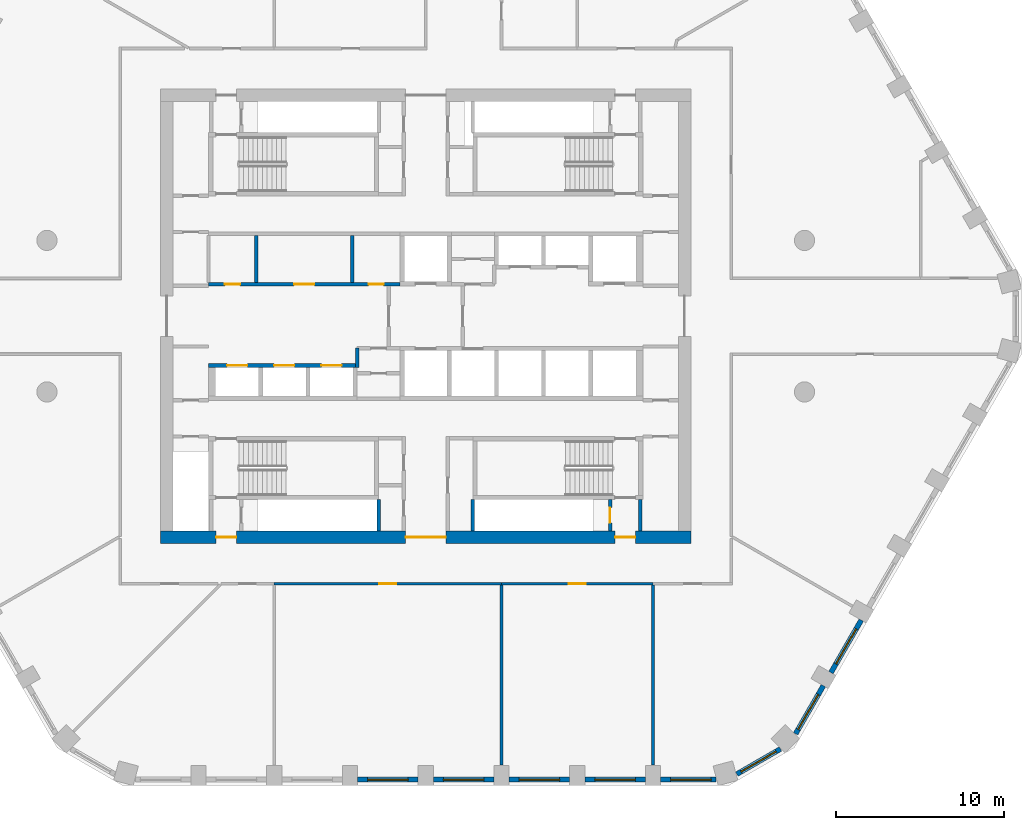
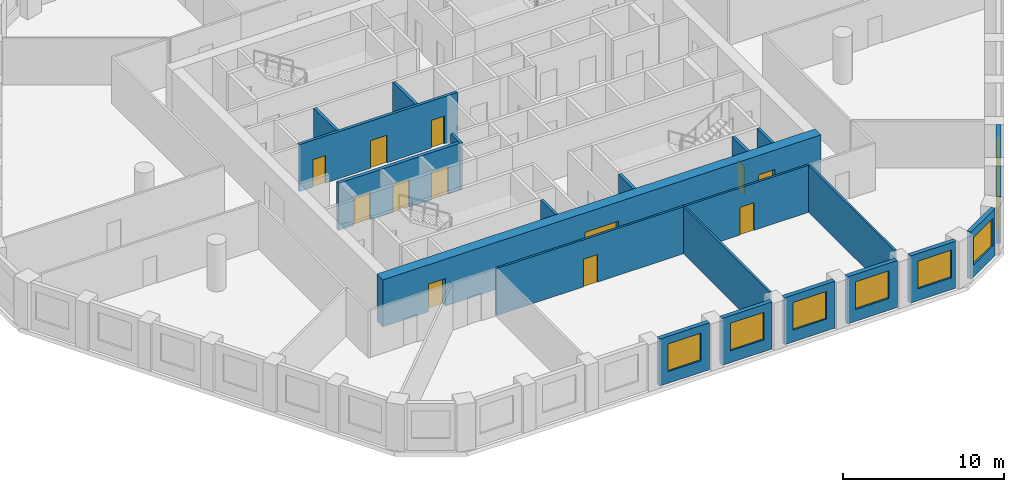
# One storey, part 3 of 9: 22 walls, 12 doors, 8 windows, 20 openings.
"""IFC4 building model written with IfcOpenShell, lengths in metres."""

import ifcopenshell
import ifcopenshell.guid

model = None  # the IFC model being written
_history = None  # IfcOwnerHistory: only IFC2X3 demands one
_inside = {}  # id of a spatial element -> (the spatial element, [elements in it])
_under = {}  # id of a project, library or spatial element -> (it, [spatial elements below it])
_declared = {}  # id of a project -> (the project, [libraries it declares])
_typed = {}  # id of a type object -> (the type object, [elements of that type])
_made_of = {}  # id of a material, layer set ... -> (it, [elements and type objects made of it])


def new_model(schema):
    """Start an empty IFC model of exactly this schema.

    Asked for "IFC4X3", IfcOpenShell would pick the latest addendum, in which some entities
    have other attributes; the version numbers below select the first issue.
    IFC2X3 requires an IfcOwnerHistory on every rooted entity: one is made here for all.
    """
    global model, _history
    if schema == "IFC4X3":
        model = ifcopenshell.file(schema_version=(4, 3, 0, 0))
    else:
        model = ifcopenshell.file(schema=schema)
    _inside.clear()
    _under.clear()
    _declared.clear()
    _typed.clear()
    _made_of.clear()
    _history = None
    if model.schema == "IFC2X3":
        org = make("IfcOrganization", Name="unknown")
        user = make(
            "IfcPersonAndOrganization",
            ThePerson=make("IfcPerson", FamilyName="unknown"),
            TheOrganization=org,
        )
        app = make(
            "IfcApplication",
            ApplicationDeveloper=org,
            Version="unknown",
            ApplicationFullName="unknown",
            ApplicationIdentifier="unknown",
        )
        _history = make(
            "IfcOwnerHistory",
            OwningUser=user,
            OwningApplication=app,
            ChangeAction="ADDED",
            CreationDate=0,
        )
    return model


def make(cls, **values):
    """One entity of the class cls with the attributes given. An attribute that is None is left unset."""
    return model.create_entity(
        cls, **{name: value for name, value in values.items() if value is not None}
    )


def rooted(cls, **values):
    """An entity with a GlobalId (a new one), such as an element, a storey or a relation."""
    return make(cls, GlobalId=ifcopenshell.guid.new(), OwnerHistory=_history, **values)


def si_unit(unit_type, name, prefix=None):
    """IfcSIUnit, for example si_unit("LENGTHUNIT", "METRE", prefix="MILLI")."""
    return make("IfcSIUnit", UnitType=unit_type, Prefix=prefix, Name=name)


def assignment(units):
    """IfcUnitAssignment: the units of a project."""
    return None if units is None else make("IfcUnitAssignment", Units=units)


def point(xyz):
    """IfcCartesianPoint."""
    return None if xyz is None else make("IfcCartesianPoint", Coordinates=xyz)


def direction(xyz):
    """IfcDirection."""
    return None if xyz is None else make("IfcDirection", DirectionRatios=xyz)


def frame(location, z_axis=None, x_axis=None):
    """IfcAxis2Placement3D, a coordinate frame: its origin and axes. An axis left out is left unset."""
    return make(
        "IfcAxis2Placement3D",
        Location=point(location),
        Axis=direction(z_axis),
        RefDirection=direction(x_axis),
    )


def frame_2d(location, x_axis=None):
    """IfcAxis2Placement2D, a coordinate frame in the plane: its origin and x axis."""
    return make(
        "IfcAxis2Placement2D", Location=point(location), RefDirection=direction(x_axis)
    )


def origin():
    """The frame at (0, 0, 0) with its axes left unset."""
    return frame((0.0, 0.0, 0.0))


def place(relative_to, where):
    """IfcLocalPlacement: puts the frame where relative to a parent placement (None: the world)."""
    return make(
        "IfcLocalPlacement", PlacementRelTo=relative_to, RelativePlacement=where
    )


def context(
    kind, dimensions, precision=None, world=None, true_north=None, identifier=None
):
    """IfcGeometricRepresentationContext, for example the 3D "Model" context."""
    return make(
        "IfcGeometricRepresentationContext",
        ContextIdentifier=identifier,
        ContextType=kind,
        CoordinateSpaceDimension=dimensions,
        Precision=precision,
        WorldCoordinateSystem=world,
        TrueNorth=true_north,
    )


def subcontext(parent, identifier, kind, view, scale=None):
    """IfcGeometricRepresentationSubContext, for example "Body" below "Model"."""
    return make(
        "IfcGeometricRepresentationSubContext",
        ContextIdentifier=identifier,
        ContextType=kind,
        ParentContext=parent,
        TargetScale=scale,
        TargetView=view,
    )


def project(units=None, contexts=None):
    """IfcProject with its units and contexts."""
    return rooted(
        "IfcProject",
        Name="project",
        RepresentationContexts=contexts,
        UnitsInContext=assignment(units),
    )


def spatial(cls, under=None, at=None, **own):
    """A site, building, storey or space (cls), placed at a placement, below another one or the project."""
    s = rooted(cls, ObjectPlacement=at, **own)
    if under is not None:
        _under.setdefault(under.id(), (under, []))[1].append(s)
    return s


def profile(cls, at=None, kind="AREA", **sizes):
    """A parametric profile (cls). Its sizes go by their IFC names, for example OverallWidth=200.0."""
    return make(cls, ProfileType=kind, Position=at, **sizes)


def rectangle(**sizes):
    """IfcRectangleProfileDef."""
    return profile("IfcRectangleProfileDef", **sizes)


def extrude(swept, where, along, depth):
    """IfcExtrudedAreaSolid: the profile swept, set in the frame where, extruded along a direction by depth."""
    return make(
        "IfcExtrudedAreaSolid",
        SweptArea=swept,
        Position=where,
        ExtrudedDirection=direction(along),
        Depth=depth,
    )


def shape(context_of_items, identifier, shape_type, items):
    """IfcShapeRepresentation: the items that make up one representation, for example the "Body"."""
    return make(
        "IfcShapeRepresentation",
        ContextOfItems=context_of_items,
        RepresentationIdentifier=identifier,
        RepresentationType=shape_type,
        Items=items,
    )


def material(Name=None, Category=None):
    """IfcMaterial."""
    return make("IfcMaterial", Name=Name, Category=Category)


def layer(
    of_material, thickness, ventilated=None, Name=None, Category=None, Priority=None
):
    """IfcMaterialLayer: one layer of a wall or slab, of a material (None: an air gap)."""
    return make(
        "IfcMaterialLayer",
        Material=of_material,
        LayerThickness=thickness,
        IsVentilated=ventilated,
        Name=Name,
        Category=Category,
        Priority=Priority,
    )


def layer_set(layers, Name=None):
    """IfcMaterialLayerSet."""
    return make("IfcMaterialLayerSet", MaterialLayers=layers, LayerSetName=Name)


def made_of(thing, what):
    """Note that an element or type object is made of a material, layer set ...; save() writes the relation."""
    if what is not None:
        _made_of.setdefault(what.id(), (what, []))[1].append(thing)
    return thing


def type_object(cls, material=None, **own):
    """A type object (cls), such as IfcWallType, which elements share."""
    return made_of(rooted(cls, **own), material)


def element(
    cls,
    number,
    at=None,
    inside=None,
    cuts=None,
    type_object=None,
    material=None,
    context=None,
    identifier="Body",
    shape_type=None,
    held_by="IfcProductDefinitionShape",
    body=None,
    shapes=None,
    **own,
):
    """One element of the class cls, such as IfcWall. Its Tag is "e" and its number.

    at: its placement. inside: the storey or other place that contains it. cuts: it is an
    opening in that element (IfcRelVoidsElement). A single representation is given by context,
    identifier, shape_type and body (its items); several are given by shapes. held_by: the class
    of the entity that holds the representations. save() writes the other relations.
    """
    e = rooted(cls, Tag="e%d" % number, ObjectPlacement=at, **own)
    if body is not None:
        shapes = [shape(context, identifier, shape_type, body)]
    if shapes is not None:
        e.Representation = make(held_by, Representations=shapes)
    if inside is not None:
        _inside.setdefault(inside.id(), (inside, []))[1].append(e)
    if cuts is not None:
        rooted(
            "IfcRelVoidsElement", RelatingBuildingElement=cuts, RelatedOpeningElement=e
        )
    if type_object is not None:
        _typed.setdefault(type_object.id(), (type_object, []))[1].append(e)
    return made_of(e, material)


def fill(opening, filler):
    """IfcRelFillsElement: the door or window that sits in an opening."""
    return rooted(
        "IfcRelFillsElement",
        RelatingOpeningElement=opening,
        RelatedBuildingElement=filler,
    )


def aggregate(whole, parts):
    """IfcRelAggregates: a whole, such as a stair, and the parts it consists of."""
    return rooted("IfcRelAggregates", RelatingObject=whole, RelatedObjects=parts)


def save(model, path):
    """Write the relations noted so far, then the file.

    IfcRelAggregates (storeys below a building ...), IfcRelContainedInSpatialStructure (elements
    in a storey), IfcRelDefinesByType, IfcRelAssociatesMaterial and IfcRelDeclares: one each for
    every whole, place, type object, material and project.
    """
    for whole, parts in _under.values():
        aggregate(whole, parts)
    for where, things in _inside.values():
        rooted(
            "IfcRelContainedInSpatialStructure",
            RelatedElements=things,
            RelatingStructure=where,
        )
    for kind, things in _typed.values():
        rooted("IfcRelDefinesByType", RelatedObjects=things, RelatingType=kind)
    for what, things in _made_of.values():
        rooted("IfcRelAssociatesMaterial", RelatedObjects=things, RelatingMaterial=what)
    for by, libraries in _declared.values():
        rooted("IfcRelDeclares", RelatingContext=by, RelatedDefinitions=libraries)
    model.write(path)


model = new_model("IFC4")

# Units and contexts
model_context = context("Model", 3, precision=1e-05, world=origin(), true_north=direction((0.0, 1.0)))
body_context = subcontext(model_context, "Body", "Model", "MODEL_VIEW")
ifc_project = project(units=[si_unit("LENGTHUNIT", "METRE"), si_unit("AREAUNIT", "SQUARE_METRE"), si_unit("VOLUMEUNIT", "CUBIC_METRE"), si_unit("PLANEANGLEUNIT", "RADIAN"), si_unit("MASSUNIT", "GRAM", prefix="KILO")], contexts=[model_context])

# Site, building, storey
site_placement = place(None, origin())
site = spatial("IfcSite", under=ifc_project, at=site_placement, CompositionType="ELEMENT")
building_placement = place(site_placement, origin())
building = spatial("IfcBuilding", under=site, at=building_placement, Name="Dhurran Vertical Campus", CompositionType="ELEMENT")
storey_placement = place(building_placement, frame((0.0, 0.0, 159.89990234375)))
storey = spatial("IfcBuildingStorey", under=building, at=storey_placement, Name="L39", CompositionType="ELEMENT", Elevation=159.89990234375)

# Wall, opening, window
ifc_material_1 = material(Name="Precast concrete C50/60", Category="concrete")
ifc_layer_1 = layer(ifc_material_1, 0.300048828125)
ifc_layer_set_1 = layer_set([ifc_layer_1], Name="Precast concrete C50/60")
wall_type_1 = type_object("IfcWallType", Name="Precast spandrel wall 300", PredefinedType="SOLIDWALL", material=ifc_layer_set_1)
wall_1_placement = place(storey_placement, frame((-4.049560546875, -27.53271484375, 0.0), z_axis=(0.0, 0.0, 1.0), x_axis=(1.0, 0.0, 0.0)))
wall_1 = element("IfcWall", 1, at=wall_1_placement, inside=storey, type_object=wall_type_1, Name="EW1 L39.03", PredefinedType="SOLIDWALL", context=body_context, shape_type="SweptSolid", body=[
    extrude(rectangle(XDim=3.59912109375, YDim=0.300048828125, at=frame_2d((1.799560546875, 0.0))), origin(), (0.0, 0.0, 1.0), 3.5751953125),
])
opening_1_placement = place(wall_1_placement, frame((0.599609375, 0.0, 0.89990234375)))
opening_1 = element("IfcOpeningElement", 2, at=opening_1_placement, cuts=wall_1, Name="Opening WT1", PredefinedType="OPENING", context=body_context, shape_type="SweptSolid", body=[
    extrude(rectangle(XDim=2.39990234375, YDim=2.10009765625, at=frame_2d((1.199951171875, 1.050048828125))), frame((0.0, 0.159912109375, 0.0), z_axis=(0.0, -1.0, 0.0), x_axis=(1.0, 0.0, 0.0)), (0.0, 0.0, 1.0), 0.320068359375),
])
ifc_material_2 = material(Name="Aluminium frame with solar-control glass", Category="aluminium")
window_type = type_object("IfcWindowType", Name="Punched window 2400 x 2100", PartitioningType="SINGLE_PANEL", PredefinedType="WINDOW", material=ifc_material_2)
window_1_placement = place(opening_1_placement, origin())
window_1 = element("IfcWindow", 3, at=window_1_placement, inside=storey, type_object=window_type, Name="WT1 L39.03", OverallHeight=2.10009765625, OverallWidth=2.39990234375, PartitioningType="SINGLE_PANEL", PredefinedType="WINDOW", context=body_context, shape_type="SweptSolid", body=[
    extrude(rectangle(XDim=2.39990234375, YDim=2.10009765625, at=frame_2d((1.199951171875, 1.050048828125))), frame((0.0, 0.030029296875, 0.0), z_axis=(0.0, -1.0, 0.0), x_axis=(1.0, 0.0, 0.0)), (0.0, 0.0, 1.0), 0.06005859375),
])
fill(opening_1, window_1)

wall_2_placement = place(storey_placement, frame((0.450439453125, -27.53271484375, 0.0), z_axis=(0.0, 0.0, 1.0), x_axis=(1.0, 0.0, 0.0)))
wall_2 = element("IfcWall", 4, at=wall_2_placement, inside=storey, type_object=wall_type_1, Name="EW1 L39.04", PredefinedType="SOLIDWALL", context=body_context, shape_type="SweptSolid", body=[
    extrude(rectangle(XDim=3.59912109375, YDim=0.300048828125, at=frame_2d((1.799560546875, 0.0))), origin(), (0.0, 0.0, 1.0), 3.5751953125),
])
opening_2_placement = place(wall_2_placement, frame((0.599609375, 0.0, 0.89990234375)))
opening_2 = element("IfcOpeningElement", 5, at=opening_2_placement, cuts=wall_2, Name="Opening WT1", PredefinedType="OPENING", context=body_context, shape_type="SweptSolid", body=[
    extrude(rectangle(XDim=2.39990234375, YDim=2.10009765625, at=frame_2d((1.199951171875, 1.050048828125))), frame((0.0, 0.159912109375, 0.0), z_axis=(0.0, -1.0, 0.0), x_axis=(1.0, 0.0, 0.0)), (0.0, 0.0, 1.0), 0.320068359375),
])
window_2_placement = place(opening_2_placement, origin())
window_2 = element("IfcWindow", 6, at=window_2_placement, inside=storey, type_object=window_type, Name="WT1 L39.04", OverallHeight=2.10009765625, OverallWidth=2.39990234375, PartitioningType="SINGLE_PANEL", PredefinedType="WINDOW", context=body_context, shape_type="SweptSolid", body=[
    extrude(rectangle(XDim=2.39990234375, YDim=2.10009765625, at=frame_2d((1.199951171875, 1.050048828125))), frame((0.0, 0.030029296875, 0.0), z_axis=(0.0, -1.0, 0.0), x_axis=(1.0, 0.0, 0.0)), (0.0, 0.0, 1.0), 0.06005859375),
])
fill(opening_2, window_2)

wall_3_placement = place(storey_placement, frame((4.950439453125, -27.53271484375, 0.0), z_axis=(0.0, 0.0, 1.0), x_axis=(1.0, 0.0, 0.0)))
wall_3 = element("IfcWall", 7, at=wall_3_placement, inside=storey, type_object=wall_type_1, Name="EW1 L39.05", PredefinedType="SOLIDWALL", context=body_context, shape_type="SweptSolid", body=[
    extrude(rectangle(XDim=3.59912109375, YDim=0.300048828125, at=frame_2d((1.799560546875, 0.0))), origin(), (0.0, 0.0, 1.0), 3.5751953125),
])
opening_3_placement = place(wall_3_placement, frame((0.599609375, 0.0, 0.89990234375)))
opening_3 = element("IfcOpeningElement", 8, at=opening_3_placement, cuts=wall_3, Name="Opening WT1", PredefinedType="OPENING", context=body_context, shape_type="SweptSolid", body=[
    extrude(rectangle(XDim=2.39990234375, YDim=2.10009765625, at=frame_2d((1.199951171875, 1.050048828125))), frame((0.0, 0.159912109375, 0.0), z_axis=(0.0, -1.0, 0.0), x_axis=(1.0, 0.0, 0.0)), (0.0, 0.0, 1.0), 0.320068359375),
])
window_3_placement = place(opening_3_placement, origin())
window_3 = element("IfcWindow", 9, at=window_3_placement, inside=storey, type_object=window_type, Name="WT1 L39.05", OverallHeight=2.10009765625, OverallWidth=2.39990234375, PartitioningType="SINGLE_PANEL", PredefinedType="WINDOW", context=body_context, shape_type="SweptSolid", body=[
    extrude(rectangle(XDim=2.39990234375, YDim=2.10009765625, at=frame_2d((1.199951171875, 1.050048828125))), frame((0.0, 0.030029296875, 0.0), z_axis=(0.0, -1.0, 0.0), x_axis=(1.0, 0.0, 0.0)), (0.0, 0.0, 1.0), 0.06005859375),
])
fill(opening_3, window_3)

wall_4_placement = place(storey_placement, frame((9.450439453125, -27.53271484375, 0.0), z_axis=(0.0, 0.0, 1.0), x_axis=(1.0, 0.0, 0.0)))
wall_4 = element("IfcWall", 10, at=wall_4_placement, inside=storey, type_object=wall_type_1, Name="EW1 L39.06", PredefinedType="SOLIDWALL", context=body_context, shape_type="SweptSolid", body=[
    extrude(rectangle(XDim=3.59912109375, YDim=0.300048828125, at=frame_2d((1.799560546875, 0.0))), origin(), (0.0, 0.0, 1.0), 3.5751953125),
])
opening_4_placement = place(wall_4_placement, frame((0.599609375, 0.0, 0.89990234375)))
opening_4 = element("IfcOpeningElement", 11, at=opening_4_placement, cuts=wall_4, Name="Opening WT1", PredefinedType="OPENING", context=body_context, shape_type="SweptSolid", body=[
    extrude(rectangle(XDim=2.39990234375, YDim=2.10009765625, at=frame_2d((1.199951171875, 1.050048828125))), frame((0.0, 0.159912109375, 0.0), z_axis=(0.0, -1.0, 0.0), x_axis=(1.0, 0.0, 0.0)), (0.0, 0.0, 1.0), 0.320068359375),
])
window_4_placement = place(opening_4_placement, origin())
window_4 = element("IfcWindow", 12, at=window_4_placement, inside=storey, type_object=window_type, Name="WT1 L39.06", OverallHeight=2.10009765625, OverallWidth=2.39990234375, PartitioningType="SINGLE_PANEL", PredefinedType="WINDOW", context=body_context, shape_type="SweptSolid", body=[
    extrude(rectangle(XDim=2.39990234375, YDim=2.10009765625, at=frame_2d((1.199951171875, 1.050048828125))), frame((0.0, 0.030029296875, 0.0), z_axis=(0.0, -1.0, 0.0), x_axis=(1.0, 0.0, 0.0)), (0.0, 0.0, 1.0), 0.06005859375),
])
fill(opening_4, window_4)

wall_5_placement = place(storey_placement, frame((13.950439453125, -27.53271484375, 0.0), z_axis=(0.0, 0.0, 1.0), x_axis=(1.0, 0.0, 0.0)))
wall_5 = element("IfcWall", 13, at=wall_5_placement, inside=storey, type_object=wall_type_1, Name="EW1 L39.07", PredefinedType="SOLIDWALL", context=body_context, shape_type="SweptSolid", body=[
    extrude(rectangle(XDim=3.294189453125, YDim=0.300048828125, at=frame_2d((1.64697265625, 0.0))), origin(), (0.0, 0.0, 1.0), 3.5751953125),
])
opening_5_placement = place(wall_5_placement, frame((0.599609375, 0.0, 0.89990234375)))
opening_5 = element("IfcOpeningElement", 14, at=opening_5_placement, cuts=wall_5, Name="Opening WT1", PredefinedType="OPENING", context=body_context, shape_type="SweptSolid", body=[
    extrude(rectangle(XDim=2.39990234375, YDim=2.10009765625, at=frame_2d((1.199951171875, 1.050048828125))), frame((0.0, 0.159912109375, 0.0), z_axis=(0.0, -1.0, 0.0), x_axis=(1.0, 0.0, 0.0)), (0.0, 0.0, 1.0), 0.320068359375),
])
window_5_placement = place(opening_5_placement, origin())
window_5 = element("IfcWindow", 15, at=window_5_placement, inside=storey, type_object=window_type, Name="WT1 L39.07", OverallHeight=2.10009765625, OverallWidth=2.39990234375, PartitioningType="SINGLE_PANEL", PredefinedType="WINDOW", context=body_context, shape_type="SweptSolid", body=[
    extrude(rectangle(XDim=2.39990234375, YDim=2.10009765625, at=frame_2d((1.199951171875, 1.050048828125))), frame((0.0, 0.030029296875, 0.0), z_axis=(0.0, -1.0, 0.0), x_axis=(1.0, 0.0, 0.0)), (0.0, 0.0, 1.0), 0.06005859375),
])
fill(opening_5, window_5)

wall_6_placement = place(storey_placement, frame((18.479248046875, -27.201904296875, 0.0), z_axis=(0.0, 0.0, 1.0), x_axis=(0.866012844897, 0.500021752, 0.0)))
wall_6 = element("IfcWall", 16, at=wall_6_placement, inside=storey, type_object=wall_type_1, Name="EW1 L39.08", PredefinedType="SOLIDWALL", context=body_context, shape_type="SweptSolid", body=[
    extrude(rectangle(XDim=2.989013671875, YDim=0.300048828125, at=frame_2d((1.49462890625, 0.0))), origin(), (0.0, 0.0, 1.0), 3.5751953125),
])
opening_6_placement = place(wall_6_placement, frame((0.294677734375, 0.0, 0.89990234375)))
opening_6 = element("IfcOpeningElement", 17, at=opening_6_placement, cuts=wall_6, Name="Opening WT1", PredefinedType="OPENING", context=body_context, shape_type="SweptSolid", body=[
    extrude(rectangle(XDim=2.39990234375, YDim=2.10009765625, at=frame_2d((1.199951171875, 1.050048828125))), frame((0.0, 0.159912109375, 0.0), z_axis=(0.0, -1.0, 0.0), x_axis=(1.0, 0.0, 0.0)), (0.0, 0.0, 1.0), 0.320068359375),
])
window_6_placement = place(opening_6_placement, origin())
window_6 = element("IfcWindow", 18, at=window_6_placement, inside=storey, type_object=window_type, Name="WT1 L39.08", OverallHeight=2.10009765625, OverallWidth=2.39990234375, PartitioningType="SINGLE_PANEL", PredefinedType="WINDOW", context=body_context, shape_type="SweptSolid", body=[
    extrude(rectangle(XDim=2.39990234375, YDim=2.10009765625, at=frame_2d((1.199951171875, 1.050048828125))), frame((0.0, 0.030029296875, 0.0), z_axis=(0.0, -1.0, 0.0), x_axis=(1.0, 0.0, 0.0)), (0.0, 0.0, 1.0), 0.06005859375),
])
fill(opening_6, window_6)

wall_7_placement = place(storey_placement, frame((21.9716796875, -24.803466796875, 0.0), z_axis=(0.0, 0.0, 1.0), x_axis=(0.500036802197, 0.866004154983, 0.0)))
wall_7 = element("IfcWall", 19, at=wall_7_placement, inside=storey, type_object=wall_type_1, Name="EW1 L39.09", PredefinedType="SOLIDWALL", context=body_context, shape_type="SweptSolid", body=[
    extrude(rectangle(XDim=3.294189453125, YDim=0.300048828125, at=frame_2d((1.64697265625, 0.0))), origin(), (0.0, 0.0, 1.0), 3.5751953125),
])
opening_7_placement = place(wall_7_placement, frame((0.29443359375, 0.0, 0.89990234375)))
opening_7 = element("IfcOpeningElement", 20, at=opening_7_placement, cuts=wall_7, Name="Opening WT1", PredefinedType="OPENING", context=body_context, shape_type="SweptSolid", body=[
    extrude(rectangle(XDim=2.39990234375, YDim=2.10009765625, at=frame_2d((1.199951171875, 1.050048828125))), frame((0.0, 0.159912109375, 0.0), z_axis=(0.0, -1.0, 0.0), x_axis=(1.0, 0.0, 0.0)), (0.0, 0.0, 1.0), 0.320068359375),
])
window_7_placement = place(opening_7_placement, origin())
window_7 = element("IfcWindow", 21, at=window_7_placement, inside=storey, type_object=window_type, Name="WT1 L39.09", OverallHeight=2.10009765625, OverallWidth=2.39990234375, PartitioningType="SINGLE_PANEL", PredefinedType="WINDOW", context=body_context, shape_type="SweptSolid", body=[
    extrude(rectangle(XDim=2.39990234375, YDim=2.10009765625, at=frame_2d((1.199951171875, 1.050048828125))), frame((0.0, 0.030029296875, 0.0), z_axis=(0.0, -1.0, 0.0), x_axis=(1.0, 0.0, 0.0)), (0.0, 0.0, 1.0), 0.06005859375),
])
fill(opening_7, window_7)

wall_8_placement = place(storey_placement, frame((24.0693359375, -21.17041015625, 0.0), z_axis=(0.0, 0.0, 1.0), x_axis=(0.500027802648, 0.866009351323, 0.0)))
wall_8 = element("IfcWall", 22, at=wall_8_placement, inside=storey, type_object=wall_type_1, Name="EW1 L39.10", PredefinedType="SOLIDWALL", context=body_context, shape_type="SweptSolid", body=[
    extrude(rectangle(XDim=3.598876953125, YDim=0.300048828125, at=frame_2d((1.79931640625, 0.0))), origin(), (0.0, 0.0, 1.0), 3.5751953125),
])
opening_8_placement = place(wall_8_placement, frame((0.599609375, 0.0, 0.89990234375)))
opening_8 = element("IfcOpeningElement", 23, at=opening_8_placement, cuts=wall_8, Name="Opening WT1", PredefinedType="OPENING", context=body_context, shape_type="SweptSolid", body=[
    extrude(rectangle(XDim=2.39990234375, YDim=2.10009765625, at=frame_2d((1.199951171875, 1.050048828125))), frame((0.0, 0.159912109375, 0.0), z_axis=(0.0, -1.0, 0.0), x_axis=(1.0, 0.0, 0.0)), (0.0, 0.0, 1.0), 0.320068359375),
])
window_8_placement = place(opening_8_placement, origin())
window_8 = element("IfcWindow", 24, at=window_8_placement, inside=storey, type_object=window_type, Name="WT1 L39.10", OverallHeight=2.10009765625, OverallWidth=2.39990234375, PartitioningType="SINGLE_PANEL", PredefinedType="WINDOW", context=body_context, shape_type="SweptSolid", body=[
    extrude(rectangle(XDim=2.39990234375, YDim=2.10009765625, at=frame_2d((1.199951171875, 1.050048828125))), frame((0.0, 0.030029296875, 0.0), z_axis=(0.0, -1.0, 0.0), x_axis=(1.0, 0.0, 0.0)), (0.0, 0.0, 1.0), 0.06005859375),
])
fill(opening_8, window_8)

# Wall, openings, doors
ifc_material_3 = material(Name="Concrete C60/75", Category="concrete")
ifc_layer_2 = layer(ifc_material_3, 0.75)
ifc_layer_set_2 = layer_set([ifc_layer_2], Name="Concrete C60/75")
wall_type_2 = type_object("IfcWallType", Name="co-CORE-WALL-C1-750", PredefinedType="SHEAR", material=ifc_layer_set_2)
wall_9_placement = place(storey_placement, frame((-15.75, -13.125, 0.0), z_axis=(0.0, 0.0, 1.0), x_axis=(1.0, 0.0, 0.0)))
wall_9 = element("IfcWall", 25, at=wall_9_placement, inside=storey, type_object=wall_type_2, Name="Core wall S L39", PredefinedType="SHEAR", context=body_context, shape_type="SweptSolid", body=[
    extrude(rectangle(XDim=31.5, YDim=0.75, at=frame_2d((15.75, 0.0))), origin(), (0.0, 0.0, 1.0), 3.5751953125),
])
opening_9_placement = place(wall_9_placement, frame((14.550048828125, 0.0, 0.0)))
opening_9 = element("IfcOpeningElement", 26, at=opening_9_placement, cuts=wall_9, Name="Opening CV2", PredefinedType="OPENING", context=body_context, shape_type="SweptSolid", body=[
    extrude(rectangle(XDim=2.39990234375, YDim=2.10009765625, at=frame_2d((1.199951171875, 1.050048828125))), frame((0.0, 0.385009765625, 0.0), z_axis=(0.0, -1.0, 0.0), x_axis=(1.0, 0.0, 0.0)), (0.0, 0.0, 1.0), 0.77001953125),
])
opening_10_placement = place(wall_9_placement, frame((3.300048828125, 0.0, 0.0)))
opening_10 = element("IfcOpeningElement", 27, at=opening_10_placement, cuts=wall_9, Name="Opening XD3", PredefinedType="OPENING", context=body_context, shape_type="SweptSolid", body=[
    extrude(rectangle(XDim=1.199951171875, YDim=2.10009765625, at=frame_2d((0.60009765625, 1.050048828125))), frame((0.0, 0.385009765625, 0.0), z_axis=(0.0, -1.0, 0.0), x_axis=(1.0, 0.0, 0.0)), (0.0, 0.0, 1.0), 0.77001953125),
])
opening_11_placement = place(wall_9_placement, frame((27.0, 0.0, 0.0)))
opening_11 = element("IfcOpeningElement", 28, at=opening_11_placement, cuts=wall_9, Name="Opening XD4", PredefinedType="OPENING", context=body_context, shape_type="SweptSolid", body=[
    extrude(rectangle(XDim=1.199951171875, YDim=2.10009765625, at=frame_2d((0.60009765625, 1.050048828125))), frame((0.0, 0.385009765625, 0.0), z_axis=(0.0, -1.0, 0.0), x_axis=(1.0, 0.0, 0.0)), (0.0, 0.0, 1.0), 0.77001953125),
])
ifc_material_4 = material(Name="Fire-rated glazed door set")
door_type_1 = type_object("IfcDoorType", Name="co-D-LOBBY 2400x2100", OperationType="DOUBLE_DOOR_DOUBLE_SWING", PredefinedType="DOOR", material=ifc_material_4)
door_1_placement = place(opening_9_placement, origin())
door_1 = element("IfcDoor", 29, at=door_1_placement, inside=storey, type_object=door_type_1, Name="Core vestibule door S L39", OperationType="DOUBLE_DOOR_DOUBLE_SWING", OverallHeight=2.10009765625, OverallWidth=2.39990234375, PredefinedType="DOOR", context=body_context, shape_type="SweptSolid", body=[
    extrude(rectangle(XDim=2.39990234375, YDim=2.10009765625, at=frame_2d((1.199951171875, 1.050048828125))), frame((0.0, 0.02490234375, 0.0), z_axis=(0.0, -1.0, 0.0), x_axis=(1.0, 0.0, 0.0)), (0.0, 0.0, 1.0), 0.050048828125),
])
fill(opening_9, door_1)
ifc_material_5 = material(Name="Fire-rated steel door set", Category="steel")
door_type_2 = type_object("IfcDoorType", Name="co-D-STAIR-EXIT 1200x2100", OperationType="SINGLE_SWING_RIGHT", PredefinedType="DOOR", material=ifc_material_5)
door_2_placement = place(opening_10_placement, origin())
door_2 = element("IfcDoor", 30, at=door_2_placement, inside=storey, type_object=door_type_2, Name="Stair ST3 exit door L39", OperationType="SINGLE_SWING_RIGHT", OverallHeight=2.10009765625, OverallWidth=1.199951171875, PredefinedType="DOOR", context=body_context, shape_type="SweptSolid", body=[
    extrude(rectangle(XDim=1.199951171875, YDim=2.10009765625, at=frame_2d((0.60009765625, 1.050048828125))), frame((0.0, 0.02490234375, 0.0), z_axis=(0.0, -1.0, 0.0), x_axis=(1.0, 0.0, 0.0)), (0.0, 0.0, 1.0), 0.050048828125),
])
fill(opening_10, door_2)
door_3_placement = place(opening_11_placement, origin())
door_3 = element("IfcDoor", 31, at=door_3_placement, inside=storey, type_object=door_type_2, Name="Stair ST4 exit door L39", OperationType="SINGLE_SWING_RIGHT", OverallHeight=2.10009765625, OverallWidth=1.199951171875, PredefinedType="DOOR", context=body_context, shape_type="SweptSolid", body=[
    extrude(rectangle(XDim=1.199951171875, YDim=2.10009765625, at=frame_2d((0.60009765625, 1.050048828125))), frame((0.0, 0.02490234375, 0.0), z_axis=(0.0, -1.0, 0.0), x_axis=(1.0, 0.0, 0.0)), (0.0, 0.0, 1.0), 0.050048828125),
])
fill(opening_11, door_3)

# Wall
ifc_material_6 = material(Name="Fire-rated masonry blockwork", Category="masonry")
ifc_layer_3 = layer(ifc_material_6, 0.199951171875)
ifc_layer_set_3 = layer_set([ifc_layer_3], Name="Fire-rated masonry blockwork")
wall_type_3 = type_object("IfcWallType", Name="co-FIRE-PARTITION-200", PredefinedType="PARTITIONING", material=ifc_layer_set_3)
wall_10_placement = place(storey_placement, frame((12.75, -12.75, 0.0), z_axis=(0.0, 0.0, 1.0), x_axis=(0.0, 1.0, 0.0)))
element("IfcWall", 32, at=wall_10_placement, inside=storey, type_object=wall_type_3, Name="Core partition pass-ST4-o L39", PredefinedType="PARTITIONING", context=body_context, shape_type="SweptSolid", body=[
    extrude(rectangle(XDim=1.85009765625, YDim=0.199951171875, at=frame_2d((0.925048828125, 0.0))), origin(), (0.0, 0.0, 1.0), 3.5751953125),
])

# Wall, opening, door
wall_11_placement = place(storey_placement, frame((10.949951171875, -12.75, 0.0), z_axis=(0.0, 0.0, 1.0), x_axis=(0.0, 1.0, 0.0)))
wall_11 = element("IfcWall", 33, at=wall_11_placement, inside=storey, type_object=wall_type_3, Name="Core partition pass-ST4-i L39", PredefinedType="PARTITIONING", context=body_context, shape_type="SweptSolid", body=[
    extrude(rectangle(XDim=1.85009765625, YDim=0.199951171875, at=frame_2d((0.925048828125, 0.0))), origin(), (0.0, 0.0, 1.0), 3.5751953125),
])
opening_12_placement = place(wall_11_placement, frame((0.47509765625, 0.0, 0.0)))
opening_12 = element("IfcOpeningElement", 34, at=opening_12_placement, cuts=wall_11, Name="Opening T11-C11", PredefinedType="OPENING", context=body_context, shape_type="SweptSolid", body=[
    extrude(rectangle(XDim=0.89990234375, YDim=2.10009765625, at=frame_2d((0.449951171875, 1.050048828125))), frame((0.0, 0.10986328125, 0.0), z_axis=(0.0, -1.0, 0.0), x_axis=(1.0, 0.0, 0.0)), (0.0, 0.0, 1.0), 0.219970703125),
])
ifc_material_7 = material(Name="Fire-rated timber door set", Category="wood")
door_type_3 = type_object("IfcDoorType", Name="co-D-ROOM 900x2100", OperationType="SINGLE_SWING_LEFT", PredefinedType="DOOR", material=ifc_material_7)
door_4_placement = place(opening_12_placement, origin())
door_4 = element("IfcDoor", 35, at=door_4_placement, inside=storey, type_object=door_type_3, Name="Riser room door L39", OperationType="SINGLE_SWING_LEFT", OverallHeight=2.10009765625, OverallWidth=0.89990234375, PredefinedType="DOOR", context=body_context, shape_type="SweptSolid", body=[
    extrude(rectangle(XDim=0.89990234375, YDim=2.10009765625, at=frame_2d((0.449951171875, 1.050048828125))), frame((0.0, 0.02490234375, 0.0), z_axis=(0.0, -1.0, 0.0), x_axis=(1.0, 0.0, 0.0)), (0.0, 0.0, 1.0), 0.050048828125),
])
fill(opening_12, door_4)

# Walls
for number, where, z_axis, x_axis, name in (
    (36, (-10.056396484375, 2.0, 0.0), (0.0, 0.0, 1.0), (0.0, 1.0, 0.0), "Core partition fr-N0-cut0 L39"),
    (37, (-4.368896484375, 2.0, 0.0), (0.0, 0.0, 1.0), (0.0, 1.0, 0.0), "Core partition fr-N0-cut1 L39"),
):
    element("IfcWall", number, at=place(storey_placement, frame(where, z_axis=z_axis, x_axis=x_axis)), inside=storey, type_object=wall_type_3, Name=name, PredefinedType="PARTITIONING", context=body_context, shape_type="SweptSolid", body=[
        extrude(rectangle(XDim=2.800048828125, YDim=0.199951171875, at=frame_2d((1.39990234375, 0.0))), origin(), (0.0, 0.0, 1.0), 3.5751953125),
    ])

# Wall, openings, doors
wall_12_placement = place(storey_placement, frame((-12.89990234375, 1.89990234375, 0.0), z_axis=(0.0, 0.0, 1.0), x_axis=(1.0, 0.0, 0.0)))
wall_12 = element("IfcWall", 38, at=wall_12_placement, inside=storey, type_object=wall_type_3, Name="Core partition fr-N0-f L39", PredefinedType="PARTITIONING", context=body_context, shape_type="SweptSolid", body=[
    extrude(rectangle(XDim=11.375, YDim=0.199951171875, at=frame_2d((5.6875, 0.0))), origin(), (0.0, 0.0, 1.0), 3.5751953125),
])
opening_13_placement = place(wall_12_placement, frame((0.971923828125, 0.0, 0.0)))
opening_13 = element("IfcOpeningElement", 39, at=opening_13_placement, cuts=wall_12, Name="Opening T11-C20", PredefinedType="OPENING", context=body_context, shape_type="SweptSolid", body=[
    extrude(rectangle(XDim=0.89990234375, YDim=2.10009765625, at=frame_2d((0.449951171875, 1.050048828125))), frame((0.0, 0.10986328125, 0.0), z_axis=(0.0, -1.0, 0.0), x_axis=(1.0, 0.0, 0.0)), (0.0, 0.0, 1.0), 0.219970703125),
])
opening_14_placement = place(wall_12_placement, frame((5.08740234375, 0.0, 0.0)))
opening_14 = element("IfcOpeningElement", 40, at=opening_14_placement, cuts=wall_12, Name="Opening T11-C21", PredefinedType="OPENING", context=body_context, shape_type="SweptSolid", body=[
    extrude(rectangle(XDim=1.199951171875, YDim=2.10009765625, at=frame_2d((0.60009765625, 1.050048828125))), frame((0.0, 0.10986328125, 0.0), z_axis=(0.0, -1.0, 0.0), x_axis=(1.0, 0.0, 0.0)), (0.0, 0.0, 1.0), 0.219970703125),
])
opening_15_placement = place(wall_12_placement, frame((9.503173828125, 0.0, 0.0)))
opening_15 = element("IfcOpeningElement", 41, at=opening_15_placement, cuts=wall_12, Name="Opening T11-C22", PredefinedType="OPENING", context=body_context, shape_type="SweptSolid", body=[
    extrude(rectangle(XDim=0.89990234375, YDim=2.10009765625, at=frame_2d((0.449951171875, 1.050048828125))), frame((0.0, 0.10986328125, 0.0), z_axis=(0.0, -1.0, 0.0), x_axis=(1.0, 0.0, 0.0)), (0.0, 0.0, 1.0), 0.219970703125),
])
door_5_placement = place(opening_13_placement, origin())
door_5 = element("IfcDoor", 42, at=door_5_placement, inside=storey, type_object=door_type_3, Name="Plant room door L39", OperationType="SINGLE_SWING_LEFT", OverallHeight=2.10009765625, OverallWidth=0.89990234375, PredefinedType="DOOR", context=body_context, shape_type="SweptSolid", body=[
    extrude(rectangle(XDim=0.89990234375, YDim=2.10009765625, at=frame_2d((0.449951171875, 1.050048828125))), frame((0.0, 0.02490234375, 0.0), z_axis=(0.0, -1.0, 0.0), x_axis=(1.0, 0.0, 0.0)), (0.0, 0.0, 1.0), 0.050048828125),
])
fill(opening_13, door_5)
door_6_placement = place(opening_15_placement, origin())
door_6 = element("IfcDoor", 43, at=door_6_placement, inside=storey, type_object=door_type_3, Name="Plant room door L39", OperationType="SINGLE_SWING_LEFT", OverallHeight=2.10009765625, OverallWidth=0.89990234375, PredefinedType="DOOR", context=body_context, shape_type="SweptSolid", body=[
    extrude(rectangle(XDim=0.89990234375, YDim=2.10009765625, at=frame_2d((0.449951171875, 1.050048828125))), frame((0.0, 0.02490234375, 0.0), z_axis=(0.0, -1.0, 0.0), x_axis=(1.0, 0.0, 0.0)), (0.0, 0.0, 1.0), 0.050048828125),
])
fill(opening_15, door_6)
ifc_material_8 = material(Name="Fire-rated steel door set", Category="steel")
door_type_4 = type_object("IfcDoorType", Name="co-D-ROOM-PASSAGE 1200x2100", OperationType="SINGLE_SWING_RIGHT", PredefinedType="DOOR", material=ifc_material_8)
door_7_placement = place(opening_14_placement, origin())
door_7 = element("IfcDoor", 44, at=door_7_placement, inside=storey, type_object=door_type_4, Name="Pantry door L39", OperationType="SINGLE_SWING_RIGHT", OverallHeight=2.10009765625, OverallWidth=1.199951171875, PredefinedType="DOOR", context=body_context, shape_type="SweptSolid", body=[
    extrude(rectangle(XDim=1.199951171875, YDim=2.10009765625, at=frame_2d((0.60009765625, 1.050048828125))), frame((0.0, 0.02490234375, 0.0), z_axis=(0.0, -1.0, 0.0), x_axis=(1.0, 0.0, 0.0)), (0.0, 0.0, 1.0), 0.050048828125),
])
fill(opening_14, door_7)

# Walls
wall_13_placement = place(storey_placement, frame((-4.074951171875, -1.89990234375, 0.0), z_axis=(0.0, 0.0, 1.0), x_axis=(0.0, -1.0, 0.0)))
element("IfcWall", 45, at=wall_13_placement, inside=storey, type_object=wall_type_3, Name="Core partition fr-S0-n0 L39", PredefinedType="PARTITIONING", context=body_context, shape_type="SweptSolid", body=[
    extrude(rectangle(XDim=1.150146484375, YDim=0.199951171875, at=frame_2d((0.5751953125, 0.0))), origin(), (0.0, 0.0, 1.0), 3.5751953125),
])
for number, where, z_axis, x_axis, name in (
    (46, (-2.800048828125, -12.7490234375, 0.0), (0.0, 0.0, 1.0), (0.0, 1.0, 0.0), "Riser enclosure wall L39"),
    (47, (2.800048828125, -10.90087890625, 0.0), (0.0, 0.0, 1.0), (0.0, -1.0, 0.0), "Riser enclosure wall L39"),
):
    element("IfcWall", number, at=place(storey_placement, frame(where, z_axis=z_axis, x_axis=x_axis)), inside=storey, type_object=wall_type_3, Name=name, PredefinedType="PARTITIONING", context=body_context, shape_type="SweptSolid", body=[
        extrude(rectangle(XDim=1.84814453125, YDim=0.199951171875, at=frame_2d((0.924072265625, 0.0))), origin(), (0.0, 0.0, 1.0), 3.5751953125),
    ])

# Wall, openings, doors
ifc_material_9 = material(Name="Concrete C50/60", Category="concrete")
ifc_layer_4 = layer(ifc_material_9, 0.25)
ifc_layer_set_4 = layer_set([ifc_layer_4], Name="Concrete C50/60")
wall_type_4 = type_object("IfcWallType", Name="co-SHAFT-FRONT-250", PredefinedType="SHEAR", material=ifc_layer_set_4)
wall_14_placement = place(storey_placement, frame((-12.89990234375, -2.925048828125, 0.0), z_axis=(0.0, 0.0, 1.0), x_axis=(1.0, 0.0, 0.0)))
wall_14 = element("IfcWall", 48, at=wall_14_placement, inside=storey, type_object=wall_type_4, Name="Lift landing wall S L39", PredefinedType="SHEAR", context=body_context, shape_type="SweptSolid", body=[
    extrude(rectangle(XDim=8.824951171875, YDim=0.25, at=frame_2d((4.41259765625, 0.0))), origin(), (0.0, 0.0, 1.0), 3.5751953125),
])
opening_16_placement = place(wall_14_placement, frame((1.10009765625, 0.0, 0.0)))
opening_16 = element("IfcOpeningElement", 49, at=opening_16_placement, cuts=wall_14, Name="Opening LD", PredefinedType="OPENING", context=body_context, shape_type="SweptSolid", body=[
    extrude(rectangle(XDim=1.199951171875, YDim=2.10009765625, at=frame_2d((0.60009765625, 1.050048828125))), frame((0.0, 0.135009765625, 0.0), z_axis=(0.0, -1.0, 0.0), x_axis=(1.0, 0.0, 0.0)), (0.0, 0.0, 1.0), 0.27001953125),
])
opening_17_placement = place(wall_14_placement, frame((3.89990234375, 0.0, 0.0)))
opening_17 = element("IfcOpeningElement", 50, at=opening_17_placement, cuts=wall_14, Name="Opening LD", PredefinedType="OPENING", context=body_context, shape_type="SweptSolid", body=[
    extrude(rectangle(XDim=1.199951171875, YDim=2.10009765625, at=frame_2d((0.60009765625, 1.050048828125))), frame((0.0, 0.135009765625, 0.0), z_axis=(0.0, -1.0, 0.0), x_axis=(1.0, 0.0, 0.0)), (0.0, 0.0, 1.0), 0.27001953125),
])
opening_18_placement = place(wall_14_placement, frame((6.699951171875, 0.0, 0.0)))
opening_18 = element("IfcOpeningElement", 51, at=opening_18_placement, cuts=wall_14, Name="Opening LD", PredefinedType="OPENING", context=body_context, shape_type="SweptSolid", body=[
    extrude(rectangle(XDim=1.199951171875, YDim=2.10009765625, at=frame_2d((0.60009765625, 1.050048828125))), frame((0.0, 0.135009765625, 0.0), z_axis=(0.0, -1.0, 0.0), x_axis=(1.0, 0.0, 0.0)), (0.0, 0.0, 1.0), 0.27001953125),
])
ifc_material_10 = material(Name="Stainless steel landing door", Category="steel")
door_type_5 = type_object("IfcDoorType", Name="co-D-LANDING 1200x2100", OperationType="DOUBLE_DOOR_SLIDING", PredefinedType="DOOR", material=ifc_material_10)
door_8_placement = place(opening_16_placement, origin())
door_8 = element("IfcDoor", 52, at=door_8_placement, inside=storey, type_object=door_type_5, Name="Landing door MR3 L39", OperationType="DOUBLE_DOOR_SLIDING", OverallHeight=2.10009765625, OverallWidth=1.199951171875, PredefinedType="DOOR", context=body_context, shape_type="SweptSolid", body=[
    extrude(rectangle(XDim=1.199951171875, YDim=2.10009765625, at=frame_2d((0.60009765625, 1.050048828125))), frame((0.0, 0.02490234375, 0.0), z_axis=(0.0, -1.0, 0.0), x_axis=(1.0, 0.0, 0.0)), (0.0, 0.0, 1.0), 0.050048828125),
])
fill(opening_16, door_8)
door_9_placement = place(opening_17_placement, origin())
door_9 = element("IfcDoor", 53, at=door_9_placement, inside=storey, type_object=door_type_5, Name="Landing door MR4 L39", OperationType="DOUBLE_DOOR_SLIDING", OverallHeight=2.10009765625, OverallWidth=1.199951171875, PredefinedType="DOOR", context=body_context, shape_type="SweptSolid", body=[
    extrude(rectangle(XDim=1.199951171875, YDim=2.10009765625, at=frame_2d((0.60009765625, 1.050048828125))), frame((0.0, 0.02490234375, 0.0), z_axis=(0.0, -1.0, 0.0), x_axis=(1.0, 0.0, 0.0)), (0.0, 0.0, 1.0), 0.050048828125),
])
fill(opening_17, door_9)
door_10_placement = place(opening_18_placement, origin())
door_10 = element("IfcDoor", 54, at=door_10_placement, inside=storey, type_object=door_type_5, Name="Landing door MR5 L39", OperationType="DOUBLE_DOOR_SLIDING", OverallHeight=2.10009765625, OverallWidth=1.199951171875, PredefinedType="DOOR", context=body_context, shape_type="SweptSolid", body=[
    extrude(rectangle(XDim=1.199951171875, YDim=2.10009765625, at=frame_2d((0.60009765625, 1.050048828125))), frame((0.0, 0.02490234375, 0.0), z_axis=(0.0, -1.0, 0.0), x_axis=(1.0, 0.0, 0.0)), (0.0, 0.0, 1.0), 0.050048828125),
])
fill(opening_18, door_10)

# Wall, opening, door
ifc_material_11 = material(Name="Gypsum board corridor wall on steel studs", Category="steel")
ifc_layer_5 = layer(ifc_material_11, 0.14990234375)
ifc_layer_set_5 = layer_set([ifc_layer_5], Name="Gypsum board corridor wall on steel studs")
wall_type_5 = type_object("IfcWallType", Name="fl-CW-150 corridor wall", PredefinedType="PARTITIONING", material=ifc_layer_set_5)
wall_15_placement = place(storey_placement, frame((-9.0, -15.89990234375, 0.0), z_axis=(0.0, 0.0, 1.0), x_axis=(1.0, 0.0, 0.0)))
wall_15 = element("IfcWall", 55, at=wall_15_placement, inside=storey, type_object=wall_type_5, Name="Partition 39-14", PredefinedType="PARTITIONING", context=body_context, shape_type="SweptSolid", body=[
    extrude(rectangle(XDim=13.5, YDim=0.14990234375, at=frame_2d((6.75, 0.0))), origin(), (0.0, 0.0, 1.0), 3.5751953125),
])
opening_19_placement = place(wall_15_placement, frame((6.25, 0.0, 0.0)))
opening_19 = element("IfcOpeningElement", 56, at=opening_19_placement, cuts=wall_15, Name="Opening T11.09", PredefinedType="OPENING", context=body_context, shape_type="SweptSolid", body=[
    extrude(rectangle(XDim=1.0, YDim=2.10009765625, at=frame_2d((0.5, 1.050048828125))), frame((0.0, 0.0849609375, 0.0), z_axis=(0.0, -1.0, 0.0), x_axis=(1.0, 0.0, 0.0)), (0.0, 0.0, 1.0), 0.169921875),
])
ifc_material_12 = material(Name="Solid-core timber door set, fire-rated", Category="wood")
door_type_6 = type_object("IfcDoorType", Name="fl-D-1000x2100", OperationType="SINGLE_SWING_LEFT", PredefinedType="DOOR", material=ifc_material_12)
door_11_placement = place(opening_19_placement, origin())
door_11 = element("IfcDoor", 57, at=door_11_placement, inside=storey, type_object=door_type_6, Name="Door 39.09", OperationType="SINGLE_SWING_LEFT", OverallHeight=2.10009765625, OverallWidth=1.0, PredefinedType="DOOR", context=body_context, shape_type="SweptSolid", body=[
    extrude(rectangle(XDim=1.0, YDim=2.10009765625, at=frame_2d((0.5, 1.050048828125))), frame((0.0, 0.02490234375, 0.0), z_axis=(0.0, -1.0, 0.0), x_axis=(1.0, 0.0, 0.0)), (0.0, 0.0, 1.0), 0.050048828125),
])
fill(opening_19, door_11)

wall_16_placement = place(storey_placement, frame((4.5, -15.89990234375, 0.0), z_axis=(0.0, 0.0, 1.0), x_axis=(1.0, 0.0, 0.0)))
wall_16 = element("IfcWall", 58, at=wall_16_placement, inside=storey, type_object=wall_type_5, Name="Partition 39-25", PredefinedType="PARTITIONING", context=body_context, shape_type="SweptSolid", body=[
    extrude(rectangle(XDim=9.0, YDim=0.14990234375, at=frame_2d((4.5, 0.0))), origin(), (0.0, 0.0, 1.0), 3.5751953125),
])
opening_20_placement = place(wall_16_placement, frame((4.0, 0.0, 0.0)))
opening_20 = element("IfcOpeningElement", 59, at=opening_20_placement, cuts=wall_16, Name="Opening T11.12", PredefinedType="OPENING", context=body_context, shape_type="SweptSolid", body=[
    extrude(rectangle(XDim=1.0, YDim=2.10009765625, at=frame_2d((0.5, 1.050048828125))), frame((0.0, 0.0849609375, 0.0), z_axis=(0.0, -1.0, 0.0), x_axis=(1.0, 0.0, 0.0)), (0.0, 0.0, 1.0), 0.169921875),
])
door_12_placement = place(opening_20_placement, origin())
door_12 = element("IfcDoor", 60, at=door_12_placement, inside=storey, type_object=door_type_6, Name="Door 39.12", OperationType="SINGLE_SWING_LEFT", OverallHeight=2.10009765625, OverallWidth=1.0, PredefinedType="DOOR", context=body_context, shape_type="SweptSolid", body=[
    extrude(rectangle(XDim=1.0, YDim=2.10009765625, at=frame_2d((0.5, 1.050048828125))), frame((0.0, 0.02490234375, 0.0), z_axis=(0.0, -1.0, 0.0), x_axis=(1.0, 0.0, 0.0)), (0.0, 0.0, 1.0), 0.050048828125),
])
fill(opening_20, door_12)

# Walls
ifc_material_13 = material(Name="Folding acoustic partition panels")
ifc_layer_6 = layer(ifc_material_13, 0.14990234375)
ifc_layer_set_6 = layer_set([ifc_layer_6], Name="Folding acoustic partition panels")
wall_type_6 = type_object("IfcWallType", Name="fl-MW-150 movable partition", PredefinedType="MOVABLE", material=ifc_layer_set_6)
for number, where, z_axis, x_axis, name in (
    (61, (4.5, -15.97509765625, 0.0), (0.0, 0.0, 1.0), (0.0, -1.0, 0.0), "Partition 39-24"),
    (62, (13.5, -15.97509765625, 0.0), (0.0, 0.0, 1.0), (0.0, -1.0, 0.0), "Partition 39-33"),
):
    element("IfcWall", number, at=place(storey_placement, frame(where, z_axis=z_axis, x_axis=x_axis)), inside=storey, type_object=wall_type_6, Name=name, PredefinedType="MOVABLE", context=body_context, shape_type="SweptSolid", body=[
        extrude(rectangle(XDim=10.6875, YDim=0.14990234375, at=frame_2d((5.34375, 0.0))), origin(), (0.0, 0.0, 1.0), 3.5751953125),
    ])

save(model, "model.ifc")
